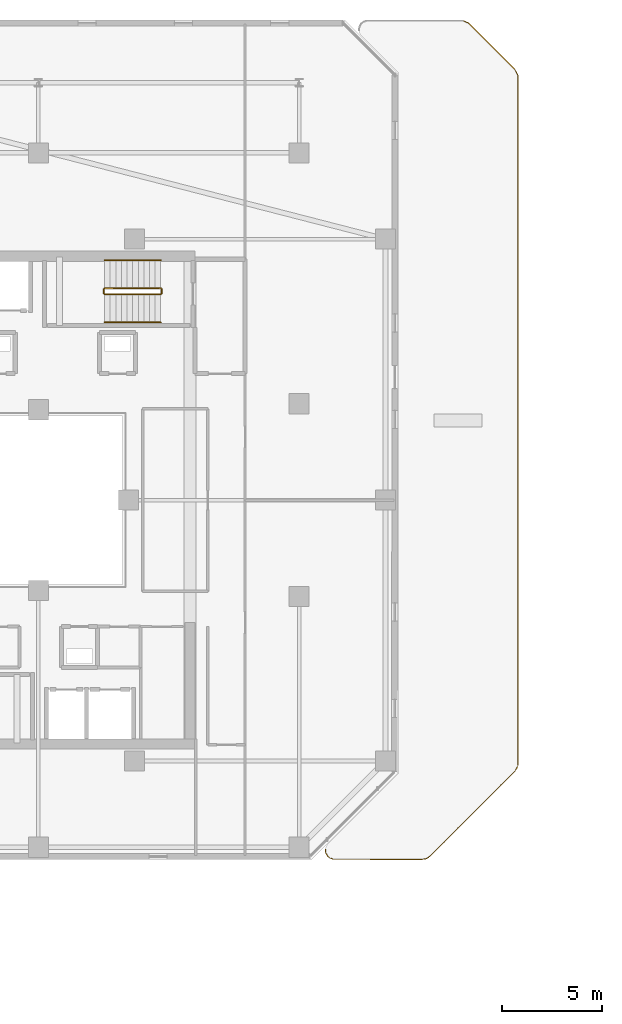
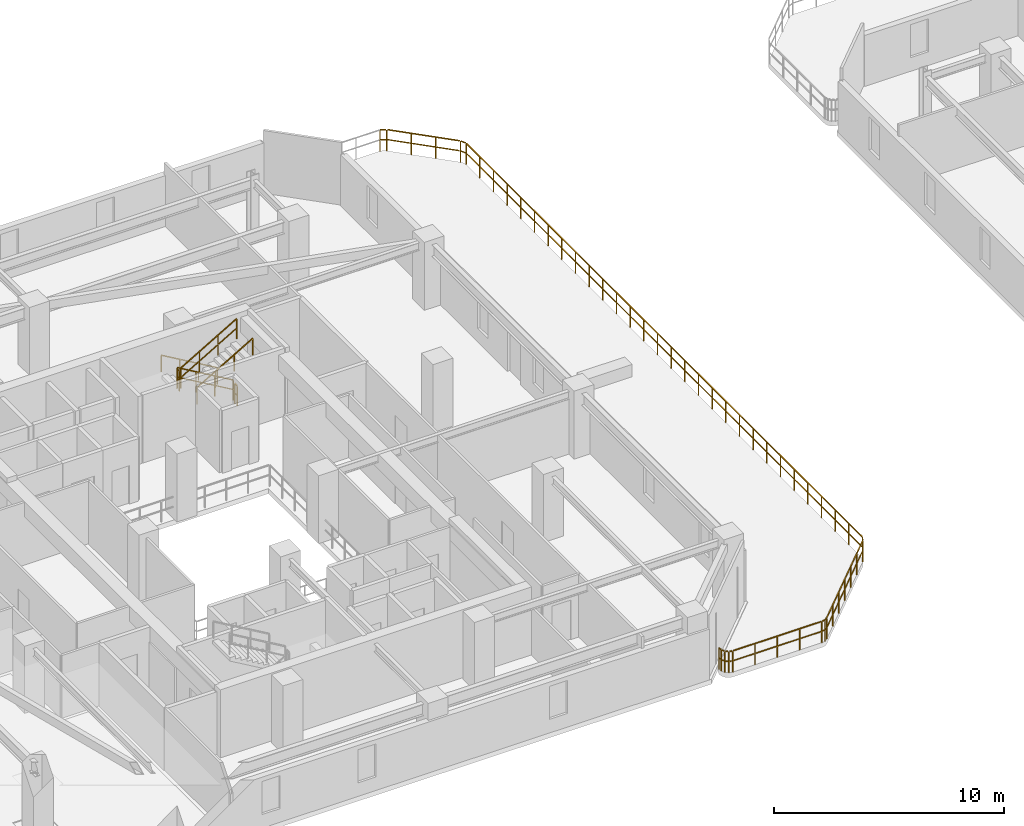
# One storey, part 29 of 32: 7 railings.
"""IFC4 building model written with IfcOpenShell, lengths in metres."""

from ifc_helpers import new_model, si_unit, direction, frame, origin, origin_2d, place, context, subcontext, project, spatial, rectangle, extrude, material, type_object, element, save


model = new_model("IFC4")

# Units and contexts
model_context = context("Model", 3, precision=1e-05, world=origin(), true_north=direction((0.0, 1.0)))
body_context = subcontext(model_context, "Body", "Model", "MODEL_VIEW")
ifc_project = project(units=[si_unit("LENGTHUNIT", "METRE"), si_unit("AREAUNIT", "SQUARE_METRE"), si_unit("VOLUMEUNIT", "CUBIC_METRE"), si_unit("PLANEANGLEUNIT", "RADIAN"), si_unit("MASSUNIT", "GRAM", prefix="KILO")], contexts=[model_context])

# Site, building, storey
site_placement = place(None, origin())
site = spatial("IfcSite", under=ifc_project, at=site_placement, CompositionType="ELEMENT")
building_placement = place(site_placement, origin())
building = spatial("IfcBuilding", under=site, at=building_placement, Name="Thornwick Lancets Civic Towers", CompositionType="ELEMENT")
storey_placement = place(building_placement, frame((0.0, 0.0, 200.10009765625)))
storey = spatial("IfcBuildingStorey", under=building, at=storey_placement, Name="L53", CompositionType="ELEMENT", Elevation=200.10009765625)

# Railings
ifc_material_1 = material(Name="Brushed stainless steel S355", Category="steel")
railing_type_1 = type_object("IfcRailingType", Name="RAIL_HANDRAIL", PredefinedType="HANDRAIL", material=ifc_material_1)
railing_1_placement = place(storey_placement, frame((31.60009765625, 38.949951171875, 0.16357421875)))
element("IfcRailing", 1, at=railing_1_placement, inside=storey, type_object=railing_type_1, Name="L53 ST-A2 stair handrail 1", PredefinedType="HANDRAIL", context=body_context, shape_type="SweptSolid", body=[
    extrude(rectangle(XDim=0.048095703125, YDim=0.048095703125, at=origin_2d()), frame((0.0, 0.0, 0.8857421875), z_axis=(-0.863393664356, 0.0, 0.504530851732), x_axis=(0.0, -1.0, 0.0)), (0.0, 0.0, 1.0), 3.2431640625),
    extrude(rectangle(XDim=0.0419921875, YDim=0.0419921875, at=origin_2d()), origin(), (0.0, 0.0, 1.0), 0.855712890625),
    extrude(rectangle(XDim=0.0419921875, YDim=0.0419921875, at=origin_2d()), frame((-0.933349609375, 0.0, 0.54541015625)), (0.0, 0.0, 1.0), 0.855712890625),
    extrude(rectangle(XDim=0.0419921875, YDim=0.0419921875, at=origin_2d()), frame((-1.86669921875, 0.0, 1.0908203125)), (0.0, 0.0, 1.0), 0.855712890625),
    extrude(rectangle(XDim=0.0419921875, YDim=0.0419921875, at=origin_2d()), frame((-2.800048828125, 0.0, 1.63623046875)), (0.0, 0.0, 1.0), 0.855712890625),
])
railing_2_placement = place(storey_placement, frame((28.800048828125, 35.85009765625, 1.963623046875)))
element("IfcRailing", 2, at=railing_2_placement, inside=storey, type_object=railing_type_1, Name="L53 ST-A2 stair handrail 2", PredefinedType="HANDRAIL", context=body_context, shape_type="SweptSolid", body=[
    extrude(rectangle(XDim=0.048095703125, YDim=0.048095703125, at=origin_2d()), frame((0.0, 0.0, 0.8857421875), z_axis=(0.863393664356, 0.0, 0.504530851732), x_axis=(0.0, 1.0, 0.0)), (0.0, 0.0, 1.0), 3.2431640625),
    extrude(rectangle(XDim=0.0419921875, YDim=0.0419921875, at=origin_2d()), origin(), (0.0, 0.0, 1.0), 0.855712890625),
    extrude(rectangle(XDim=0.0419921875, YDim=0.0419921875, at=origin_2d()), frame((0.933349609375, 0.0, 0.54541015625)), (0.0, 0.0, 1.0), 0.855712890625),
    extrude(rectangle(XDim=0.0419921875, YDim=0.0419921875, at=origin_2d()), frame((1.86669921875, 0.0, 1.0908203125)), (0.0, 0.0, 1.0), 0.855712890625),
    extrude(rectangle(XDim=0.0419921875, YDim=0.0419921875, at=origin_2d()), frame((2.800048828125, 0.0, 1.63623046875)), (0.0, 0.0, 1.0), 0.855712890625),
])
ifc_material_2 = material(Name="Steel S355JR", Category="steel")
railing_type_2 = type_object("IfcRailingType", Name="RAIL_STAIR_GUARD", PredefinedType="GUARDRAIL", material=ifc_material_2)
railing_3_placement = place(storey_placement, frame((31.60009765625, 37.550048828125, 0.16357421875)))
element("IfcRailing", 3, at=railing_3_placement, inside=storey, type_object=railing_type_2, Name="L53 ST-A2 stair guard 1", PredefinedType="GUARDRAIL", context=body_context, shape_type="SweptSolid", body=[
    extrude(rectangle(XDim=0.048095703125, YDim=0.048095703125, at=origin_2d()), frame((0.0, 0.0, 1.076171875), z_axis=(-0.863393664356, 0.0, 0.504530851732), x_axis=(0.0, -1.0, 0.0)), (0.0, 0.0, 1.0), 3.2431640625),
    extrude(rectangle(XDim=0.0419921875, YDim=0.0419921875, at=origin_2d()), frame((-0.032470703125, 0.0, 0.591064453125), z_axis=(-0.863393664356, 0.0, 0.504530851732), x_axis=(0.0, -1.0, 0.0)), (0.0, 0.0, 1.0), 1.006103515625),
    extrude(rectangle(XDim=0.0419921875, YDim=0.0419921875, at=origin_2d()), frame((-0.9658203125, 0.0, 1.136474609375), z_axis=(-0.863393664356, 0.0, 0.504530851732), x_axis=(0.0, -1.0, 0.0)), (0.0, 0.0, 1.0), 1.006103515625),
    extrude(rectangle(XDim=0.0419921875, YDim=0.0419921875, at=origin_2d()), frame((-1.899169921875, 0.0, 1.681884765625), z_axis=(-0.863393664356, 0.0, 0.504530851732), x_axis=(0.0, -1.0, 0.0)), (0.0, 0.0, 1.0), 1.006103515625),
    extrude(rectangle(XDim=0.0419921875, YDim=0.0419921875, at=origin_2d()), origin(), (0.0, 0.0, 1.0), 1.0458984375),
    extrude(rectangle(XDim=0.0419921875, YDim=0.0419921875, at=origin_2d()), frame((-0.933349609375, 0.0, 0.54541015625)), (0.0, 0.0, 1.0), 1.0458984375),
    extrude(rectangle(XDim=0.0419921875, YDim=0.0419921875, at=origin_2d()), frame((-1.86669921875, 0.0, 1.0908203125)), (0.0, 0.0, 1.0), 1.0458984375),
    extrude(rectangle(XDim=0.0419921875, YDim=0.0419921875, at=origin_2d()), frame((-2.800048828125, 0.0, 1.63623046875)), (0.0, 0.0, 1.0), 1.0458984375),
])
railing_4_placement = place(storey_placement, frame((28.75, 37.5, 1.7998046875)))
element("IfcRailing", 4, at=railing_4_placement, inside=storey, type_object=railing_type_2, Name="L53 ST-A2 stair guard 2", PredefinedType="GUARDRAIL", context=body_context, shape_type="SweptSolid", body=[
    extrude(rectangle(XDim=0.048095703125, YDim=0.048095703125, at=origin_2d()), frame((0.0, 0.0, 1.076171875), z_axis=(0.0, -1.0, 0.0), x_axis=(1.0, 0.0, 0.0)), (0.0, 0.0, 1.0), 0.199951171875),
    extrude(rectangle(XDim=0.0419921875, YDim=0.0419921875, at=origin_2d()), frame((0.0, -0.03759765625, 0.572021484375), z_axis=(0.0, -1.0, 0.0), x_axis=(1.0, 0.0, 0.0)), (0.0, 0.0, 1.0), 0.125),
    extrude(rectangle(XDim=0.0419921875, YDim=0.0419921875, at=origin_2d()), origin(), (0.0, 0.0, 1.0), 1.0458984375),
    extrude(rectangle(XDim=0.0419921875, YDim=0.0419921875, at=origin_2d()), frame((0.0, -0.199951171875, 0.0)), (0.0, 0.0, 1.0), 1.0458984375),
])
railing_5_placement = place(storey_placement, frame((28.800048828125, 37.25, 1.963623046875)))
element("IfcRailing", 5, at=railing_5_placement, inside=storey, type_object=railing_type_2, Name="L53 ST-A2 stair guard 3", PredefinedType="GUARDRAIL", context=body_context, shape_type="SweptSolid", body=[
    extrude(rectangle(XDim=0.048095703125, YDim=0.048095703125, at=origin_2d()), frame((0.0, 0.0, 1.076171875), z_axis=(0.863393664356, 0.0, 0.504530851732), x_axis=(0.0, 1.0, 0.0)), (0.0, 0.0, 1.0), 3.2431640625),
    extrude(rectangle(XDim=0.0419921875, YDim=0.0419921875, at=origin_2d()), frame((0.032470703125, 0.0, 0.591064453125), z_axis=(0.863393664356, 0.0, 0.504530851732), x_axis=(0.0, 1.0, 0.0)), (0.0, 0.0, 1.0), 1.006103515625),
    extrude(rectangle(XDim=0.0419921875, YDim=0.0419921875, at=origin_2d()), frame((0.9658203125, 0.0, 1.136474609375), z_axis=(0.863393664356, 0.0, 0.504530851732), x_axis=(0.0, 1.0, 0.0)), (0.0, 0.0, 1.0), 1.006103515625),
    extrude(rectangle(XDim=0.0419921875, YDim=0.0419921875, at=origin_2d()), frame((1.899169921875, 0.0, 1.681884765625), z_axis=(0.863393664356, 0.0, 0.504530851732), x_axis=(0.0, 1.0, 0.0)), (0.0, 0.0, 1.0), 1.006103515625),
    extrude(rectangle(XDim=0.0419921875, YDim=0.0419921875, at=origin_2d()), origin(), (0.0, 0.0, 1.0), 1.0458984375),
    extrude(rectangle(XDim=0.0419921875, YDim=0.0419921875, at=origin_2d()), frame((0.933349609375, 0.0, 0.54541015625)), (0.0, 0.0, 1.0), 1.0458984375),
    extrude(rectangle(XDim=0.0419921875, YDim=0.0419921875, at=origin_2d()), frame((1.86669921875, 0.0, 1.0908203125)), (0.0, 0.0, 1.0), 1.0458984375),
    extrude(rectangle(XDim=0.0419921875, YDim=0.0419921875, at=origin_2d()), frame((2.800048828125, 0.0, 1.63623046875)), (0.0, 0.0, 1.0), 1.0458984375),
])
railing_6_placement = place(storey_placement, frame((31.64990234375, 37.5, 0.0)))
element("IfcRailing", 6, at=railing_6_placement, inside=storey, type_object=railing_type_2, Name="L53 ST-A2 stair guard 4", PredefinedType="GUARDRAIL", context=body_context, shape_type="SweptSolid", body=[
    extrude(rectangle(XDim=0.048095703125, YDim=0.048095703125, at=origin_2d()), frame((0.0, 0.0, 1.076171875), z_axis=(0.0, -1.0, 0.0), x_axis=(1.0, 0.0, 0.0)), (0.0, 0.0, 1.0), 0.199951171875),
    extrude(rectangle(XDim=0.0419921875, YDim=0.0419921875, at=origin_2d()), frame((0.0, -0.03759765625, 0.572021484375), z_axis=(0.0, -1.0, 0.0), x_axis=(1.0, 0.0, 0.0)), (0.0, 0.0, 1.0), 0.125),
    extrude(rectangle(XDim=0.0419921875, YDim=0.0419921875, at=origin_2d()), origin(), (0.0, 0.0, 1.0), 1.0458984375),
    extrude(rectangle(XDim=0.0419921875, YDim=0.0419921875, at=origin_2d()), frame((0.0, -0.199951171875, 0.0)), (0.0, 0.0, 1.0), 1.0458984375),
])
ifc_material_3 = material(Name="Terracotta-capped laminated glass balustrade S355", Category="masonry")
railing_type_3 = type_object("IfcRailingType", Name="RAIL_TERR_GUARD", PredefinedType="GUARDRAIL", material=ifc_material_3)
railing_7_placement = place(storey_placement, frame((46.65771484375, 50.897705078125, 0.0)))
element("IfcRailing", 7, at=railing_7_placement, inside=storey, type_object=railing_type_3, Name="L53 Tower A Sky-Garden Guard 1 Part 1", PredefinedType="GUARDRAIL", context=body_context, shape_type="SweptSolid", body=[
    extrude(rectangle(XDim=0.048095703125, YDim=0.048095703125, at=origin_2d()), frame((0.0, 0.0, 1.1259765625), z_axis=(0.904343633652, -0.426805098696, 0.0), x_axis=(0.426805098696, 0.904343633652, 0.0)), (0.0, 0.0, 1.0), 0.27197265625),
    extrude(rectangle(XDim=0.0419921875, YDim=0.0419921875, at=origin_2d()), frame((0.033935546875, -0.01611328125, 0.597900390625), z_axis=(0.904343633652, -0.426805098696, 0.0), x_axis=(0.426805098696, 0.904343633652, 0.0)), (0.0, 0.0, 1.0), 0.228271484375),
    extrude(rectangle(XDim=0.048095703125, YDim=0.048095703125, at=origin_2d()), frame((0.29638671875, -0.151611328125, 1.1259765625), z_axis=(0.707106781187, -0.707106781187, 0.0), x_axis=(0.707106781187, 0.707106781187, 0.0)), (0.0, 0.0, 1.0), 3.24169921875),
    extrude(rectangle(XDim=0.0419921875, YDim=0.0419921875, at=origin_2d()), frame((0.30078125, -0.156005859375, 0.597900390625), z_axis=(0.707106781187, -0.707106781187, 0.0), x_axis=(0.707106781187, 0.707106781187, 0.0)), (0.0, 0.0, 1.0), 1.0263671875),
    extrude(rectangle(XDim=0.0419921875, YDim=0.0419921875, at=origin_2d()), frame((1.07958984375, -0.934814453125, 0.597900390625), z_axis=(0.707106781187, -0.707106781187, 0.0), x_axis=(0.707106781187, 0.707106781187, 0.0)), (0.0, 0.0, 1.0), 1.0263671875),
    extrude(rectangle(XDim=0.0419921875, YDim=0.0419921875, at=origin_2d()), frame((1.8583984375, -1.713623046875, 0.597900390625), z_axis=(0.707106781187, -0.707106781187, 0.0), x_axis=(0.707106781187, 0.707106781187, 0.0)), (0.0, 0.0, 1.0), 1.0263671875),
    extrude(rectangle(XDim=0.048095703125, YDim=0.048095703125, at=origin_2d()), frame((2.6240234375, -2.494140625, 1.1259765625), z_axis=(0.426805098696, -0.904343633652, 0.0), x_axis=(0.904343633652, 0.426805098696, 0.0)), (0.0, 0.0, 1.0), 0.24072265625),
    extrude(rectangle(XDim=0.0419921875, YDim=0.0419921875, at=origin_2d()), frame((2.626708984375, -2.499755859375, 0.597900390625), z_axis=(0.426805098696, -0.904343633652, 0.0), x_axis=(0.904343633652, 0.426805098696, 0.0)), (0.0, 0.0, 1.0), 0.228271484375),
    extrude(rectangle(XDim=0.048095703125, YDim=0.048095703125, at=origin_2d()), frame((2.739990234375, -2.771240234375, 1.1259765625), z_axis=(-0.000184411547, -0.999999982996, 0.0), x_axis=(0.999999982996, -0.000184411547, 0.0)), (0.0, 0.0, 1.0), 34.358642578125),
    extrude(rectangle(XDim=0.0419921875, YDim=0.0419921875, at=origin_2d()), frame((2.739990234375, -2.777587890625, 0.597900390625), z_axis=(-0.000184411547, -0.999999982996, 0.0), x_axis=(0.999999982996, -0.000184411547, 0.0)), (0.0, 0.0, 1.0), 1.112060546875),
    extrude(rectangle(XDim=0.0419921875, YDim=0.0419921875, at=origin_2d()), frame((2.73974609375, -3.96435546875, 0.597900390625), z_axis=(-0.000184411547, -0.999999982996, 0.0), x_axis=(0.999999982996, -0.000184411547, 0.0)), (0.0, 0.0, 1.0), 1.112060546875),
    extrude(rectangle(XDim=0.0419921875, YDim=0.0419921875, at=origin_2d()), frame((2.739501953125, -5.1513671875, 0.597900390625), z_axis=(-0.000184411547, -0.999999982996, 0.0), x_axis=(0.999999982996, -0.000184411547, 0.0)), (0.0, 0.0, 1.0), 1.112060546875),
    extrude(rectangle(XDim=0.0419921875, YDim=0.0419921875, at=origin_2d()), frame((2.7392578125, -6.33837890625, 0.597900390625), z_axis=(-0.000184411547, -0.999999982996, 0.0), x_axis=(0.999999982996, -0.000184411547, 0.0)), (0.0, 0.0, 1.0), 1.112060546875),
    extrude(rectangle(XDim=0.0419921875, YDim=0.0419921875, at=origin_2d()), frame((2.739013671875, -7.525146484375, 0.597900390625), z_axis=(-0.000184411547, -0.999999982996, 0.0), x_axis=(0.999999982996, -0.000184411547, 0.0)), (0.0, 0.0, 1.0), 1.112060546875),
    extrude(rectangle(XDim=0.0419921875, YDim=0.0419921875, at=origin_2d()), frame((2.73876953125, -8.712158203125, 0.597900390625), z_axis=(-0.000184411547, -0.999999982996, 0.0), x_axis=(0.999999982996, -0.000184411547, 0.0)), (0.0, 0.0, 1.0), 1.112060546875),
    extrude(rectangle(XDim=0.0419921875, YDim=0.0419921875, at=origin_2d()), frame((2.73876953125, -9.899169921875, 0.597900390625), z_axis=(-0.000184411547, -0.999999982996, 0.0), x_axis=(0.999999982996, -0.000184411547, 0.0)), (0.0, 0.0, 1.0), 1.112060546875),
    extrude(rectangle(XDim=0.0419921875, YDim=0.0419921875, at=origin_2d()), frame((2.738525390625, -11.0859375, 0.597900390625), z_axis=(-0.000184411547, -0.999999982996, 0.0), x_axis=(0.999999982996, -0.000184411547, 0.0)), (0.0, 0.0, 1.0), 1.112060546875),
    extrude(rectangle(XDim=0.0419921875, YDim=0.0419921875, at=origin_2d()), frame((2.73828125, -12.27294921875, 0.597900390625), z_axis=(-0.000184411547, -0.999999982996, 0.0), x_axis=(0.999999982996, -0.000184411547, 0.0)), (0.0, 0.0, 1.0), 1.112060546875),
    extrude(rectangle(XDim=0.0419921875, YDim=0.0419921875, at=origin_2d()), frame((2.738037109375, -13.4599609375, 0.597900390625), z_axis=(-0.000184411547, -0.999999982996, 0.0), x_axis=(0.999999982996, -0.000184411547, 0.0)), (0.0, 0.0, 1.0), 1.112060546875),
    extrude(rectangle(XDim=0.0419921875, YDim=0.0419921875, at=origin_2d()), frame((2.73779296875, -14.646728515625, 0.597900390625), z_axis=(-0.000184411547, -0.999999982996, 0.0), x_axis=(0.999999982996, -0.000184411547, 0.0)), (0.0, 0.0, 1.0), 1.112060546875),
    extrude(rectangle(XDim=0.0419921875, YDim=0.0419921875, at=origin_2d()), frame((2.737548828125, -15.833740234375, 0.597900390625), z_axis=(-0.000184411547, -0.999999982996, 0.0), x_axis=(0.999999982996, -0.000184411547, 0.0)), (0.0, 0.0, 1.0), 1.112060546875),
    extrude(rectangle(XDim=0.0419921875, YDim=0.0419921875, at=origin_2d()), frame((2.7373046875, -17.020751953125, 0.597900390625), z_axis=(-0.000184411547, -0.999999982996, 0.0), x_axis=(0.999999982996, -0.000184411547, 0.0)), (0.0, 0.0, 1.0), 1.112060546875),
    extrude(rectangle(XDim=0.0419921875, YDim=0.0419921875, at=origin_2d()), frame((2.737060546875, -18.207763671875, 0.597900390625), z_axis=(-0.000184411547, -0.999999982996, 0.0), x_axis=(0.999999982996, -0.000184411547, 0.0)), (0.0, 0.0, 1.0), 1.112060546875),
    extrude(rectangle(XDim=0.0419921875, YDim=0.0419921875, at=origin_2d()), frame((2.73681640625, -19.39453125, 0.597900390625), z_axis=(-0.000184411547, -0.999999982996, 0.0), x_axis=(0.999999982996, -0.000184411547, 0.0)), (0.0, 0.0, 1.0), 1.112060546875),
    extrude(rectangle(XDim=0.0419921875, YDim=0.0419921875, at=origin_2d()), frame((2.73681640625, -20.58154296875, 0.597900390625), z_axis=(-0.000184411547, -0.999999982996, 0.0), x_axis=(0.999999982996, -0.000184411547, 0.0)), (0.0, 0.0, 1.0), 1.112060546875),
    extrude(rectangle(XDim=0.0419921875, YDim=0.0419921875, at=origin_2d()), frame((2.736572265625, -21.7685546875, 0.597900390625), z_axis=(-0.000184411547, -0.999999982996, 0.0), x_axis=(0.999999982996, -0.000184411547, 0.0)), (0.0, 0.0, 1.0), 1.112060546875),
    extrude(rectangle(XDim=0.0419921875, YDim=0.0419921875, at=origin_2d()), frame((2.736328125, -22.955322265625, 0.597900390625), z_axis=(-0.000184411547, -0.999999982996, 0.0), x_axis=(0.999999982996, -0.000184411547, 0.0)), (0.0, 0.0, 1.0), 1.112060546875),
    extrude(rectangle(XDim=0.0419921875, YDim=0.0419921875, at=origin_2d()), frame((2.736083984375, -24.142333984375, 0.597900390625), z_axis=(-0.000184411547, -0.999999982996, 0.0), x_axis=(0.999999982996, -0.000184411547, 0.0)), (0.0, 0.0, 1.0), 1.112060546875),
    extrude(rectangle(XDim=0.0419921875, YDim=0.0419921875, at=origin_2d()), frame((2.73583984375, -25.329345703125, 0.597900390625), z_axis=(-0.000184411547, -0.999999982996, 0.0), x_axis=(0.999999982996, -0.000184411547, 0.0)), (0.0, 0.0, 1.0), 1.112060546875),
    extrude(rectangle(XDim=0.0419921875, YDim=0.0419921875, at=origin_2d()), frame((2.735595703125, -26.51611328125, 0.597900390625), z_axis=(-0.000184411547, -0.999999982996, 0.0), x_axis=(0.999999982996, -0.000184411547, 0.0)), (0.0, 0.0, 1.0), 1.112060546875),
    extrude(rectangle(XDim=0.0419921875, YDim=0.0419921875, at=origin_2d()), frame((2.7353515625, -27.703125, 0.597900390625), z_axis=(-0.000184411547, -0.999999982996, 0.0), x_axis=(0.999999982996, -0.000184411547, 0.0)), (0.0, 0.0, 1.0), 1.112060546875),
    extrude(rectangle(XDim=0.0419921875, YDim=0.0419921875, at=origin_2d()), frame((2.735107421875, -28.89013671875, 0.597900390625), z_axis=(-0.000184411547, -0.999999982996, 0.0), x_axis=(0.999999982996, -0.000184411547, 0.0)), (0.0, 0.0, 1.0), 1.112060546875),
    extrude(rectangle(XDim=0.0419921875, YDim=0.0419921875, at=origin_2d()), frame((2.73486328125, -30.076904296875, 0.597900390625), z_axis=(-0.000184411547, -0.999999982996, 0.0), x_axis=(0.999999982996, -0.000184411547, 0.0)), (0.0, 0.0, 1.0), 1.112060546875),
    extrude(rectangle(XDim=0.0419921875, YDim=0.0419921875, at=origin_2d()), frame((2.734619140625, -31.263916015625, 0.597900390625), z_axis=(-0.000184411547, -0.999999982996, 0.0), x_axis=(0.999999982996, -0.000184411547, 0.0)), (0.0, 0.0, 1.0), 1.112060546875),
    extrude(rectangle(XDim=0.0419921875, YDim=0.0419921875, at=origin_2d()), frame((2.734619140625, -32.450927734375, 0.597900390625), z_axis=(-0.000184411547, -0.999999982996, 0.0), x_axis=(0.999999982996, -0.000184411547, 0.0)), (0.0, 0.0, 1.0), 1.112060546875),
    extrude(rectangle(XDim=0.0419921875, YDim=0.0419921875, at=origin_2d()), frame((2.734375, -33.637939453125, 0.597900390625), z_axis=(-0.000184411547, -0.999999982996, 0.0), x_axis=(0.999999982996, -0.000184411547, 0.0)), (0.0, 0.0, 1.0), 1.112060546875),
    extrude(rectangle(XDim=0.0419921875, YDim=0.0419921875, at=origin_2d()), frame((2.734130859375, -34.82470703125, 0.597900390625), z_axis=(-0.000184411547, -0.999999982996, 0.0), x_axis=(0.999999982996, -0.000184411547, 0.0)), (0.0, 0.0, 1.0), 1.112060546875),
    extrude(rectangle(XDim=0.0419921875, YDim=0.0419921875, at=origin_2d()), frame((2.73388671875, -36.01171875, 0.597900390625), z_axis=(-0.000184411547, -0.999999982996, 0.0), x_axis=(0.999999982996, -0.000184411547, 0.0)), (0.0, 0.0, 1.0), 1.112060546875),
    extrude(rectangle(XDim=0.048095703125, YDim=0.048095703125, at=origin_2d()), frame((2.718994140625, -37.188720703125, 1.1259765625), z_axis=(-0.470976207759, -0.882145912945, 0.0), x_axis=(0.882145912945, -0.470976207759, 0.0)), (0.0, 0.0, 1.0), 0.19873046875),
    extrude(rectangle(XDim=0.0419921875, YDim=0.0419921875, at=origin_2d()), frame((2.716064453125, -37.194091796875, 0.597900390625), z_axis=(-0.470976207759, -0.882145912945, 0.0), x_axis=(0.882145912945, -0.470976207759, 0.0)), (0.0, 0.0, 1.0), 0.186279296875),
    extrude(rectangle(XDim=0.048095703125, YDim=0.048095703125, at=origin_2d()), frame((2.58837890625, -37.413818359375, 1.1259765625), z_axis=(-0.707106781187, -0.707106781187, 0.0), x_axis=(0.707106781187, -0.707106781187, 0.0)), (0.0, 0.0, 1.0), 5.982421875),
    extrude(rectangle(XDim=0.0419921875, YDim=0.0419921875, at=origin_2d()), frame((2.583984375, -37.418212890625, 0.597900390625), z_axis=(-0.707106781187, -0.707106781187, 0.0), x_axis=(0.707106781187, -0.707106781187, 0.0)), (0.0, 0.0, 1.0), 0.9326171875),
    extrude(rectangle(XDim=0.0419921875, YDim=0.0419921875, at=origin_2d()), frame((1.87158203125, -38.130615234375, 0.597900390625), z_axis=(-0.707106781187, -0.707106781187, 0.0), x_axis=(0.707106781187, -0.707106781187, 0.0)), (0.0, 0.0, 1.0), 0.9326171875),
    extrude(rectangle(XDim=0.0419921875, YDim=0.0419921875, at=origin_2d()), frame((1.1591796875, -38.843017578125, 0.597900390625), z_axis=(-0.707106781187, -0.707106781187, 0.0), x_axis=(0.707106781187, -0.707106781187, 0.0)), (0.0, 0.0, 1.0), 0.9326171875),
    extrude(rectangle(XDim=0.0419921875, YDim=0.0419921875, at=origin_2d()), frame((0.44677734375, -39.555419921875, 0.597900390625), z_axis=(-0.707106781187, -0.707106781187, 0.0), x_axis=(0.707106781187, -0.707106781187, 0.0)), (0.0, 0.0, 1.0), 0.9326171875),
    extrude(rectangle(XDim=0.0419921875, YDim=0.0419921875, at=origin_2d()), frame((-0.265625, -40.267822265625, 0.597900390625), z_axis=(-0.707106781187, -0.707106781187, 0.0), x_axis=(0.707106781187, -0.707106781187, 0.0)), (0.0, 0.0, 1.0), 0.9326171875),
    extrude(rectangle(XDim=0.0419921875, YDim=0.0419921875, at=origin_2d()), frame((-0.97802734375, -40.980224609375, 0.597900390625), z_axis=(-0.707106781187, -0.707106781187, 0.0), x_axis=(0.707106781187, -0.707106781187, 0.0)), (0.0, 0.0, 1.0), 0.9326171875),
    extrude(rectangle(XDim=0.048095703125, YDim=0.048095703125, at=origin_2d()), frame((-1.68994140625, -41.683349609375, 1.1259765625), z_axis=(-0.831836227726, -0.555021161978, 0.0), x_axis=(0.555021161978, -0.831836227726, 0.0)), (0.0, 0.0, 1.0), 0.113037109375),
    extrude(rectangle(XDim=0.0419921875, YDim=0.0419921875, at=origin_2d()), frame((-1.695068359375, -41.686767578125, 0.597900390625), z_axis=(-0.831836227726, -0.555021161978, 0.0), x_axis=(0.555021161978, -0.831836227726, 0.0)), (0.0, 0.0, 1.0), 0.1005859375),
    extrude(rectangle(XDim=0.048095703125, YDim=0.048095703125, at=origin_2d()), frame((-1.840576171875, -41.76953125, 1.1259765625), z_axis=(-0.980899990639, -0.194512746019, 0.0), x_axis=(0.194512746019, -0.980899990639, 0.0)), (0.0, 0.0, 1.0), 0.11328125),
    extrude(rectangle(XDim=0.0419921875, YDim=0.0419921875, at=origin_2d()), frame((-1.8466796875, -41.770751953125, 0.597900390625), z_axis=(-0.980899990639, -0.194512746019, 0.0), x_axis=(0.194512746019, -0.980899990639, 0.0)), (0.0, 0.0, 1.0), 0.100830078125),
    extrude(rectangle(XDim=0.048095703125, YDim=0.048095703125, at=origin_2d()), frame((-2.013427734375, -41.797607421875, 1.1259765625), z_axis=(-0.999999879025, 0.000491883856, 0.0), x_axis=(-0.000491883856, -0.999999879025, 0.0)), (0.0, 0.0, 1.0), 4.404541015625),
    extrude(rectangle(XDim=0.0419921875, YDim=0.0419921875, at=origin_2d()), frame((-2.019775390625, -41.797607421875, 0.597900390625), z_axis=(-0.999999879025, 0.000491883856, 0.0), x_axis=(-0.000491883856, -0.999999879025, 0.0)), (0.0, 0.0, 1.0), 1.041748046875),
    extrude(rectangle(XDim=0.0419921875, YDim=0.0419921875, at=origin_2d()), frame((-3.136474609375, -41.797119140625, 0.597900390625), z_axis=(-0.999999879025, 0.000491883856, 0.0), x_axis=(-0.000491883856, -0.999999879025, 0.0)), (0.0, 0.0, 1.0), 1.041748046875),
    extrude(rectangle(XDim=0.0419921875, YDim=0.0419921875, at=origin_2d()), frame((-4.253173828125, -41.79638671875, 0.597900390625), z_axis=(-0.999999879025, 0.000491883856, 0.0), x_axis=(-0.000491883856, -0.999999879025, 0.0)), (0.0, 0.0, 1.0), 1.041748046875),
    extrude(rectangle(XDim=0.0419921875, YDim=0.0419921875, at=origin_2d()), frame((-5.369873046875, -41.7958984375, 0.597900390625), z_axis=(-0.999999879025, 0.000491883856, 0.0), x_axis=(-0.000491883856, -0.999999879025, 0.0)), (0.0, 0.0, 1.0), 1.041748046875),
    extrude(rectangle(XDim=0.048095703125, YDim=0.048095703125, at=origin_2d()), frame((-6.479248046875, -41.786376953125, 1.1259765625), z_axis=(-0.957211427299, 0.289389501276, 0.0), x_axis=(-0.289389501276, -0.957211427299, 0.0)), (0.0, 0.0, 1.0), 0.113037109375),
    extrude(rectangle(XDim=0.0419921875, YDim=0.0419921875, at=origin_2d()), frame((-6.485107421875, -41.78466796875, 0.597900390625), z_axis=(-0.957211427299, 0.289389501276, 0.0), x_axis=(-0.289389501276, -0.957211427299, 0.0)), (0.0, 0.0, 1.0), 0.1005859375),
    extrude(rectangle(XDim=0.048095703125, YDim=0.048095703125, at=origin_2d()), frame((-6.641357421875, -41.724853515625, 1.1259765625), z_axis=(-0.773213238462, 0.634146109242, 0.0), x_axis=(-0.634146109242, -0.773213238462, 0.0)), (0.0, 0.0, 1.0), 0.113037109375),
    extrude(rectangle(XDim=0.0419921875, YDim=0.0419921875, at=origin_2d()), frame((-6.646240234375, -41.720947265625, 0.597900390625), z_axis=(-0.773213238462, 0.634146109242, 0.0), x_axis=(-0.634146109242, -0.773213238462, 0.0)), (0.0, 0.0, 1.0), 0.1005859375),
    extrude(rectangle(XDim=0.048095703125, YDim=0.048095703125, at=origin_2d()), frame((-6.767578125, -41.605712890625, 1.1259765625), z_axis=(-0.470948722639, 0.882160586654, 0.0), x_axis=(-0.882160586654, -0.470948722639, 0.0)), (0.0, 0.0, 1.0), 0.11328125),
    extrude(rectangle(XDim=0.0419921875, YDim=0.0419921875, at=origin_2d()), frame((-6.7705078125, -41.600341796875, 0.597900390625), z_axis=(-0.470948722639, 0.882160586654, 0.0), x_axis=(-0.882160586654, -0.470948722639, 0.0)), (0.0, 0.0, 1.0), 0.100830078125),
    extrude(rectangle(XDim=0.048095703125, YDim=0.048095703125, at=origin_2d()), frame((-6.838623046875, -41.447265625, 1.1259765625), z_axis=(-0.092749159512, 0.995689506528, 0.0), x_axis=(-0.995689506528, -0.092749159512, 0.0)), (0.0, 0.0, 1.0), 0.147705078125),
    extrude(rectangle(XDim=0.0419921875, YDim=0.0419921875, at=origin_2d()), frame((-6.839111328125, -41.44091796875, 0.597900390625), z_axis=(-0.092749159512, 0.995689506528, 0.0), x_axis=(-0.995689506528, -0.092749159512, 0.0)), (0.0, 0.0, 1.0), 0.10400390625),
    extrude(rectangle(XDim=0.0419921875, YDim=0.0419921875, at=origin_2d()), origin(), (0.0, 0.0, 1.0), 1.095703125),
    extrude(rectangle(XDim=0.0419921875, YDim=0.0419921875, at=origin_2d()), frame((0.274169921875, -0.12939453125, 0.0)), (0.0, 0.0, 1.0), 1.095703125),
    extrude(rectangle(XDim=0.0419921875, YDim=0.0419921875, at=origin_2d()), frame((1.052978515625, -0.908203125, 0.0)), (0.0, 0.0, 1.0), 1.095703125),
    extrude(rectangle(XDim=0.0419921875, YDim=0.0419921875, at=origin_2d()), frame((1.831787109375, -1.68701171875, 0.0)), (0.0, 0.0, 1.0), 1.095703125),
    extrude(rectangle(XDim=0.0419921875, YDim=0.0419921875, at=origin_2d()), frame((2.610595703125, -2.4658203125, 0.0)), (0.0, 0.0, 1.0), 1.095703125),
    extrude(rectangle(XDim=0.0419921875, YDim=0.0419921875, at=origin_2d()), frame((2.739990234375, -2.739990234375, 0.0)), (0.0, 0.0, 1.0), 1.095703125),
    extrude(rectangle(XDim=0.0419921875, YDim=0.0419921875, at=origin_2d()), frame((2.73974609375, -3.927001953125, 0.0)), (0.0, 0.0, 1.0), 1.095703125),
    extrude(rectangle(XDim=0.0419921875, YDim=0.0419921875, at=origin_2d()), frame((2.739501953125, -5.11376953125, 0.0)), (0.0, 0.0, 1.0), 1.095703125),
    extrude(rectangle(XDim=0.0419921875, YDim=0.0419921875, at=origin_2d()), frame((2.7392578125, -6.30078125, 0.0)), (0.0, 0.0, 1.0), 1.095703125),
    extrude(rectangle(XDim=0.0419921875, YDim=0.0419921875, at=origin_2d()), frame((2.739013671875, -7.48779296875, 0.0)), (0.0, 0.0, 1.0), 1.095703125),
    extrude(rectangle(XDim=0.0419921875, YDim=0.0419921875, at=origin_2d()), frame((2.739013671875, -8.674560546875, 0.0)), (0.0, 0.0, 1.0), 1.095703125),
    extrude(rectangle(XDim=0.0419921875, YDim=0.0419921875, at=origin_2d()), frame((2.73876953125, -9.861572265625, 0.0)), (0.0, 0.0, 1.0), 1.095703125),
    extrude(rectangle(XDim=0.0419921875, YDim=0.0419921875, at=origin_2d()), frame((2.738525390625, -11.048583984375, 0.0)), (0.0, 0.0, 1.0), 1.095703125),
    extrude(rectangle(XDim=0.0419921875, YDim=0.0419921875, at=origin_2d()), frame((2.73828125, -12.235595703125, 0.0)), (0.0, 0.0, 1.0), 1.095703125),
    extrude(rectangle(XDim=0.0419921875, YDim=0.0419921875, at=origin_2d()), frame((2.738037109375, -13.42236328125, 0.0)), (0.0, 0.0, 1.0), 1.095703125),
    extrude(rectangle(XDim=0.0419921875, YDim=0.0419921875, at=origin_2d()), frame((2.73779296875, -14.609375, 0.0)), (0.0, 0.0, 1.0), 1.095703125),
    extrude(rectangle(XDim=0.0419921875, YDim=0.0419921875, at=origin_2d()), frame((2.737548828125, -15.79638671875, 0.0)), (0.0, 0.0, 1.0), 1.095703125),
    extrude(rectangle(XDim=0.0419921875, YDim=0.0419921875, at=origin_2d()), frame((2.7373046875, -16.983154296875, 0.0)), (0.0, 0.0, 1.0), 1.095703125),
    extrude(rectangle(XDim=0.0419921875, YDim=0.0419921875, at=origin_2d()), frame((2.737060546875, -18.170166015625, 0.0)), (0.0, 0.0, 1.0), 1.095703125),
    extrude(rectangle(XDim=0.0419921875, YDim=0.0419921875, at=origin_2d()), frame((2.73681640625, -19.357177734375, 0.0)), (0.0, 0.0, 1.0), 1.095703125),
    extrude(rectangle(XDim=0.0419921875, YDim=0.0419921875, at=origin_2d()), frame((2.73681640625, -20.5439453125, 0.0)), (0.0, 0.0, 1.0), 1.095703125),
    extrude(rectangle(XDim=0.0419921875, YDim=0.0419921875, at=origin_2d()), frame((2.736572265625, -21.73095703125, 0.0)), (0.0, 0.0, 1.0), 1.095703125),
    extrude(rectangle(XDim=0.0419921875, YDim=0.0419921875, at=origin_2d()), frame((2.736328125, -22.91796875, 0.0)), (0.0, 0.0, 1.0), 1.095703125),
    extrude(rectangle(XDim=0.0419921875, YDim=0.0419921875, at=origin_2d()), frame((2.736083984375, -24.104736328125, 0.0)), (0.0, 0.0, 1.0), 1.095703125),
    extrude(rectangle(XDim=0.0419921875, YDim=0.0419921875, at=origin_2d()), frame((2.73583984375, -25.291748046875, 0.0)), (0.0, 0.0, 1.0), 1.095703125),
    extrude(rectangle(XDim=0.0419921875, YDim=0.0419921875, at=origin_2d()), frame((2.735595703125, -26.478759765625, 0.0)), (0.0, 0.0, 1.0), 1.095703125),
    extrude(rectangle(XDim=0.0419921875, YDim=0.0419921875, at=origin_2d()), frame((2.7353515625, -27.66552734375, 0.0)), (0.0, 0.0, 1.0), 1.095703125),
    extrude(rectangle(XDim=0.0419921875, YDim=0.0419921875, at=origin_2d()), frame((2.735107421875, -28.8525390625, 0.0)), (0.0, 0.0, 1.0), 1.095703125),
    extrude(rectangle(XDim=0.0419921875, YDim=0.0419921875, at=origin_2d()), frame((2.73486328125, -30.03955078125, 0.0)), (0.0, 0.0, 1.0), 1.095703125),
    extrude(rectangle(XDim=0.0419921875, YDim=0.0419921875, at=origin_2d()), frame((2.734619140625, -31.2265625, 0.0)), (0.0, 0.0, 1.0), 1.095703125),
    extrude(rectangle(XDim=0.0419921875, YDim=0.0419921875, at=origin_2d()), frame((2.734619140625, -32.413330078125, 0.0)), (0.0, 0.0, 1.0), 1.095703125),
    extrude(rectangle(XDim=0.0419921875, YDim=0.0419921875, at=origin_2d()), frame((2.734375, -33.600341796875, 0.0)), (0.0, 0.0, 1.0), 1.095703125),
    extrude(rectangle(XDim=0.0419921875, YDim=0.0419921875, at=origin_2d()), frame((2.734130859375, -34.787353515625, 0.0)), (0.0, 0.0, 1.0), 1.095703125),
    extrude(rectangle(XDim=0.0419921875, YDim=0.0419921875, at=origin_2d()), frame((2.73388671875, -35.97412109375, 0.0)), (0.0, 0.0, 1.0), 1.095703125),
    extrude(rectangle(XDim=0.0419921875, YDim=0.0419921875, at=origin_2d()), frame((2.733642578125, -37.1611328125, 0.0)), (0.0, 0.0, 1.0), 1.095703125),
    extrude(rectangle(XDim=0.0419921875, YDim=0.0419921875, at=origin_2d()), frame((2.610595703125, -37.3916015625, 0.0)), (0.0, 0.0, 1.0), 1.095703125),
    extrude(rectangle(XDim=0.0419921875, YDim=0.0419921875, at=origin_2d()), frame((1.898193359375, -38.10400390625, 0.0)), (0.0, 0.0, 1.0), 1.095703125),
    extrude(rectangle(XDim=0.0419921875, YDim=0.0419921875, at=origin_2d()), frame((1.185791015625, -38.81640625, 0.0)), (0.0, 0.0, 1.0), 1.095703125),
    extrude(rectangle(XDim=0.0419921875, YDim=0.0419921875, at=origin_2d()), frame((0.473388671875, -39.52880859375, 0.0)), (0.0, 0.0, 1.0), 1.095703125),
    extrude(rectangle(XDim=0.0419921875, YDim=0.0419921875, at=origin_2d()), frame((-0.239013671875, -40.2412109375, 0.0)), (0.0, 0.0, 1.0), 1.095703125),
    extrude(rectangle(XDim=0.0419921875, YDim=0.0419921875, at=origin_2d()), frame((-0.951416015625, -40.95361328125, 0.0)), (0.0, 0.0, 1.0), 1.095703125),
    extrude(rectangle(XDim=0.0419921875, YDim=0.0419921875, at=origin_2d()), frame((-1.663818359375, -41.666015625, 0.0)), (0.0, 0.0, 1.0), 1.095703125),
    extrude(rectangle(XDim=0.0419921875, YDim=0.0419921875, at=origin_2d()), frame((-1.809814453125, -41.763427734375, 0.0)), (0.0, 0.0, 1.0), 1.095703125),
    extrude(rectangle(XDim=0.0419921875, YDim=0.0419921875, at=origin_2d()), frame((-1.982177734375, -41.797607421875, 0.0)), (0.0, 0.0, 1.0), 1.095703125),
    extrude(rectangle(XDim=0.0419921875, YDim=0.0419921875, at=origin_2d()), frame((-3.098876953125, -41.797119140625, 0.0)), (0.0, 0.0, 1.0), 1.095703125),
    extrude(rectangle(XDim=0.0419921875, YDim=0.0419921875, at=origin_2d()), frame((-4.2158203125, -41.79638671875, 0.0)), (0.0, 0.0, 1.0), 1.095703125),
    extrude(rectangle(XDim=0.0419921875, YDim=0.0419921875, at=origin_2d()), frame((-5.33251953125, -41.7958984375, 0.0)), (0.0, 0.0, 1.0), 1.095703125),
    extrude(rectangle(XDim=0.0419921875, YDim=0.0419921875, at=origin_2d()), frame((-6.44921875, -41.79541015625, 0.0)), (0.0, 0.0, 1.0), 1.095703125),
    extrude(rectangle(XDim=0.0419921875, YDim=0.0419921875, at=origin_2d()), frame((-6.6171875, -41.74462890625, 0.0)), (0.0, 0.0, 1.0), 1.095703125),
    extrude(rectangle(XDim=0.0419921875, YDim=0.0419921875, at=origin_2d()), frame((-6.7529296875, -41.63330078125, 0.0)), (0.0, 0.0, 1.0), 1.095703125),
    extrude(rectangle(XDim=0.0419921875, YDim=0.0419921875, at=origin_2d()), frame((-6.835693359375, -41.478271484375, 0.0)), (0.0, 0.0, 1.0), 1.095703125),
    extrude(rectangle(XDim=0.0419921875, YDim=0.0419921875, at=origin_2d()), frame((-6.852294921875, -41.300048828125, 0.0)), (0.0, 0.0, 1.0), 1.095703125),
])

save(model, "model.ifc")
